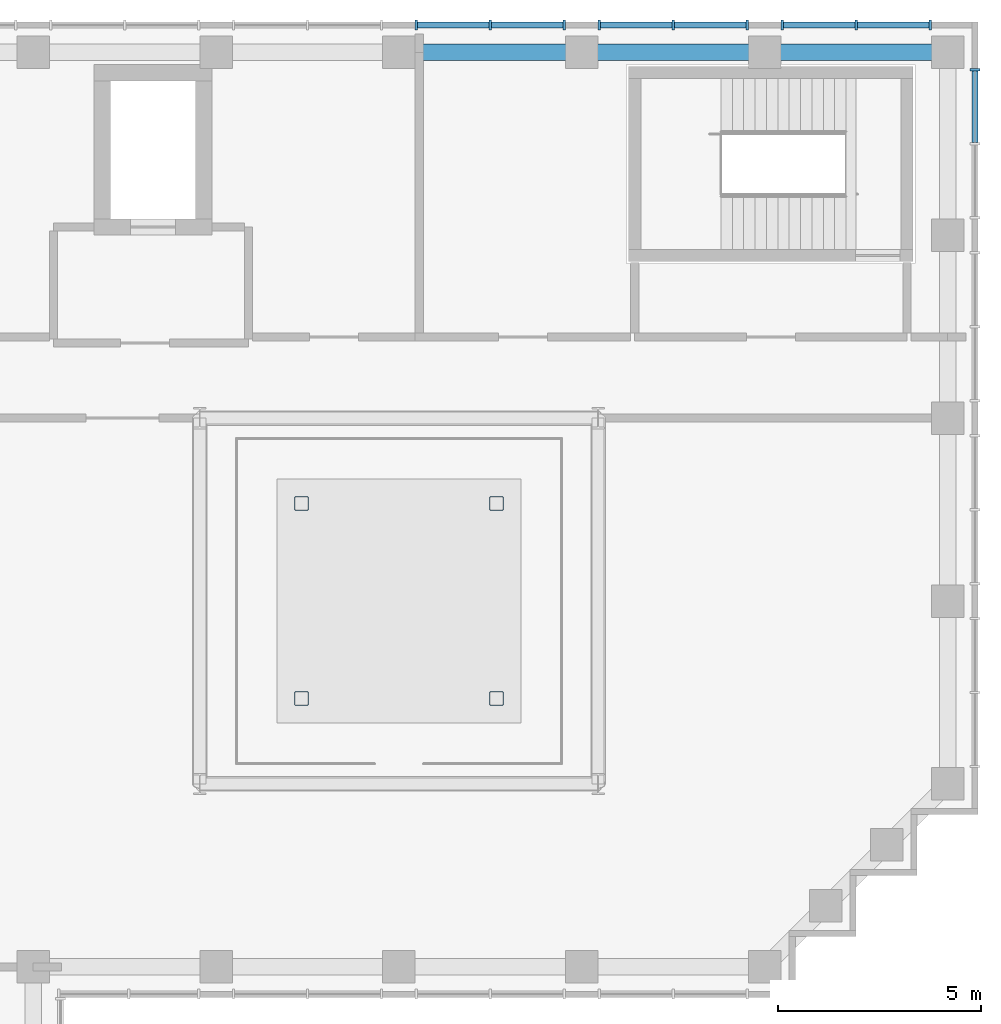
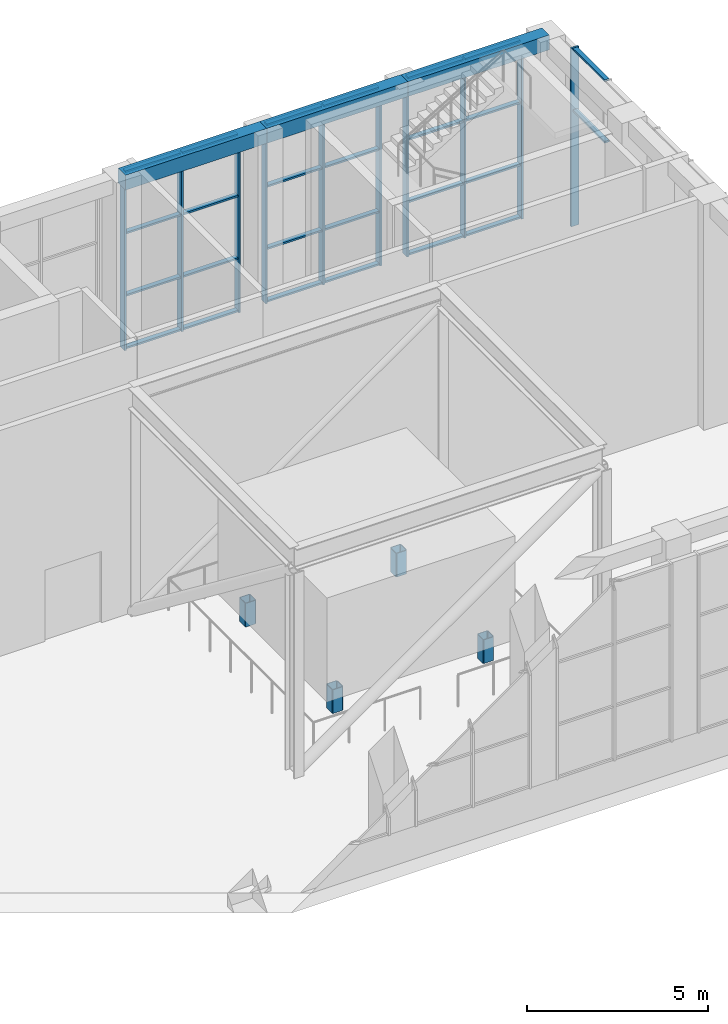
# One storey, part 8 of 17: 40 members, 3 beams, 4 elements without a shape of their own.
"""IFC4 building model written with IfcOpenShell, lengths in metres."""

from ifc_helpers import new_model, si_unit, direction, frame, origin, origin_2d, place, context, subcontext, project, spatial, rectangle, hollow_rectangle, extrude, material, material_profile, profile_set, type_object, element, aggregate, save


model = new_model("IFC4")

# Units and contexts
model_context = context("Model", 3, precision=1e-05, world=origin(), true_north=direction((0.0, 1.0)))
body_context = subcontext(model_context, "Body", "Model", "MODEL_VIEW")
ifc_project = project(units=[si_unit("LENGTHUNIT", "METRE"), si_unit("AREAUNIT", "SQUARE_METRE"), si_unit("VOLUMEUNIT", "CUBIC_METRE"), si_unit("PLANEANGLEUNIT", "RADIAN"), si_unit("MASSUNIT", "GRAM", prefix="KILO")], contexts=[model_context])

# Site, building, storey
site_placement = place(None, origin())
site = spatial("IfcSite", under=ifc_project, at=site_placement, CompositionType="ELEMENT")
building_placement = place(site_placement, origin())
building = spatial("IfcBuilding", under=site, at=building_placement, Name="Firuza Court", CompositionType="ELEMENT")
storey_placement = place(building_placement, frame((0.0, 0.0, 258.199951171875)))
storey = spatial("IfcBuildingStorey", under=building, at=storey_placement, Name="L67", CompositionType="ELEMENT", Elevation=258.199951171875)

# Members
ifc_material_1 = material(Name="Steel S355", Category="steel")
ifc_material_profile_1 = material_profile(ifc_material_1, hollow_rectangle(XDim=0.35009765625, YDim=0.35009765625, WallThickness=0.01611328125, InnerFilletRadius=0.02392578125, OuterFilletRadius=0.0400390625, at=origin_2d()), Name="RHS 350x350x16")
ifc_profile_set_1 = profile_set([ifc_material_profile_1], Name="Steel S355")
member_type_1 = type_object("IfcMemberType", Name="Damper bearing pedestal RHS 350x350x16 S355", PredefinedType="POST", material=ifc_profile_set_1)
for number, where, z_axis, x_axis, name in (
    (1, (29.10009765625, 42.60009765625, 0.0), (0.0, 0.0, 1.0), (1.0, 0.0, 0.0), "Damper bearing pedestal TH1 L67"),
    (2, (33.89990234375, 42.60009765625, 0.0), (0.0, 0.0, 1.0), (1.0, 0.0, 0.0), "Damper bearing pedestal TH1 L67"),
    (3, (29.10009765625, 47.39990234375, 0.0), (0.0, 0.0, 1.0), (1.0, 0.0, 0.0), "Damper bearing pedestal TH1 L67"),
    (4, (33.89990234375, 47.39990234375, 0.0), (0.0, 0.0, 1.0), (1.0, 0.0, 0.0), "Damper bearing pedestal TH1 L67"),
):
    element("IfcMember", number, at=place(storey_placement, frame(where, z_axis=z_axis, x_axis=x_axis)), inside=storey, type_object=member_type_1, Name=name, PredefinedType="POST", context=body_context, shape_type="SweptSolid", body=[
        extrude(hollow_rectangle(XDim=0.35009765625, YDim=0.35009765625, WallThickness=0.01611328125, InnerFilletRadius=0.02392578125, OuterFilletRadius=0.0400390625, at=origin_2d()), origin(), (0.0, 0.0, 1.0), 0.800048828125),
    ])

# Curtain wall, member
ifc_material_2 = material(Name="Aluminium curtain wall, triple clear glazing", Category="aluminium")
curtain_wall_type = type_object("IfcCurtainWallType", Name="Damper hall structural glazing CW4", PredefinedType="NOTDEFINED", material=ifc_material_2)
curtain_wall_1_placement = place(storey_placement, origin())
curtain_wall_1 = element("IfcCurtainWall", 5, at=curtain_wall_1_placement, inside=storey, type_object=curtain_wall_type, Name="Damper hall structural glazing CW4 L67", PredefinedType="NOTDEFINED")
ifc_material_3 = material(Name="Aluminium EN AW-6060 T66", Category="aluminium")
ifc_material_profile_2 = material_profile(ifc_material_3, rectangle(XDim=0.25, YDim=0.06005859375, at=origin_2d()), Name="Mullion 250 x 60 CW4")
ifc_profile_set_2 = profile_set([ifc_material_profile_2], Name="Aluminium EN AW-6060 T66")
member_type_2 = type_object("IfcMemberType", Name="Mullion 250 x 60 CW4", PredefinedType="MULLION", material=ifc_profile_set_2)
member_1_placement = place(storey_placement, frame((45.669921875, 58.070068359375, 1.10009765625), z_axis=(0.0, 0.0, 1.0), x_axis=(-1.0, 0.0, 0.0)))
member_1 = element("IfcMember", 6, at=member_1_placement, type_object=member_type_2, Name="CW4 mullion 3", PredefinedType="MULLION", context=body_context, shape_type="SweptSolid", body=[
    extrude(rectangle(XDim=0.25, YDim=0.06005859375, at=origin_2d()), origin(), (0.0, 0.0, 1.0), 6.0),
])

# Curtain wall, members
curtain_wall_2_placement = place(storey_placement, origin())
curtain_wall_2 = element("IfcCurtainWall", 7, at=curtain_wall_2_placement, inside=storey, type_object=curtain_wall_type, Name="Damper hall structural glazing CW4 L67", PredefinedType="NOTDEFINED")
member_2_placement = place(storey_placement, frame((44.570068359375, 59.169921875, 1.10009765625), z_axis=(0.0, 0.0, 1.0), x_axis=(0.0, -1.0, 0.0)))
member_2 = element("IfcMember", 8, at=member_2_placement, type_object=member_type_2, Name="CW4 mullion 1", PredefinedType="MULLION", context=body_context, shape_type="SweptSolid", body=[
    extrude(rectangle(XDim=0.25, YDim=0.06005859375, at=origin_2d()), origin(), (0.0, 0.0, 1.0), 6.0),
])
member_3_placement = place(storey_placement, frame((42.75, 59.169921875, 1.10009765625), z_axis=(0.0, 0.0, 1.0), x_axis=(0.0, -1.0, 0.0)))
member_3 = element("IfcMember", 9, at=member_3_placement, type_object=member_type_2, Name="CW4 mullion 2", PredefinedType="MULLION", context=body_context, shape_type="SweptSolid", body=[
    extrude(rectangle(XDim=0.25, YDim=0.06005859375, at=origin_2d()), origin(), (0.0, 0.0, 1.0), 6.0),
])
member_4_placement = place(storey_placement, frame((40.929931640625, 59.169921875, 1.10009765625), z_axis=(0.0, 0.0, 1.0), x_axis=(0.0, -1.0, 0.0)))
member_4 = element("IfcMember", 10, at=member_4_placement, type_object=member_type_2, Name="CW4 mullion 3", PredefinedType="MULLION", context=body_context, shape_type="SweptSolid", body=[
    extrude(rectangle(XDim=0.25, YDim=0.06005859375, at=origin_2d()), origin(), (0.0, 0.0, 1.0), 6.0),
])

curtain_wall_3_placement = place(storey_placement, origin())
curtain_wall_3 = element("IfcCurtainWall", 11, at=curtain_wall_3_placement, inside=storey, type_object=curtain_wall_type, Name="Damper hall structural glazing CW4 L67", PredefinedType="NOTDEFINED")
member_5_placement = place(storey_placement, frame((40.070068359375, 59.169921875, 1.10009765625), z_axis=(0.0, 0.0, 1.0), x_axis=(0.0, -1.0, 0.0)))
member_5 = element("IfcMember", 12, at=member_5_placement, type_object=member_type_2, Name="CW4 mullion 1", PredefinedType="MULLION", context=body_context, shape_type="SweptSolid", body=[
    extrude(rectangle(XDim=0.25, YDim=0.06005859375, at=origin_2d()), origin(), (0.0, 0.0, 1.0), 6.0),
])
member_6_placement = place(storey_placement, frame((38.25, 59.169921875, 1.10009765625), z_axis=(0.0, 0.0, 1.0), x_axis=(0.0, -1.0, 0.0)))
member_6 = element("IfcMember", 13, at=member_6_placement, type_object=member_type_2, Name="CW4 mullion 2", PredefinedType="MULLION", context=body_context, shape_type="SweptSolid", body=[
    extrude(rectangle(XDim=0.25, YDim=0.06005859375, at=origin_2d()), origin(), (0.0, 0.0, 1.0), 6.0),
])
member_7_placement = place(storey_placement, frame((36.429931640625, 59.169921875, 1.10009765625), z_axis=(0.0, 0.0, 1.0), x_axis=(0.0, -1.0, 0.0)))
member_7 = element("IfcMember", 14, at=member_7_placement, type_object=member_type_2, Name="CW4 mullion 3", PredefinedType="MULLION", context=body_context, shape_type="SweptSolid", body=[
    extrude(rectangle(XDim=0.25, YDim=0.06005859375, at=origin_2d()), origin(), (0.0, 0.0, 1.0), 6.0),
])

curtain_wall_4_placement = place(storey_placement, origin())
curtain_wall_4 = element("IfcCurtainWall", 15, at=curtain_wall_4_placement, inside=storey, type_object=curtain_wall_type, Name="Damper hall structural glazing CW4 L67", PredefinedType="NOTDEFINED")
member_8_placement = place(storey_placement, frame((35.570068359375, 59.169921875, 1.10009765625), z_axis=(0.0, 0.0, 1.0), x_axis=(0.0, -1.0, 0.0)))
member_8 = element("IfcMember", 16, at=member_8_placement, type_object=member_type_2, Name="CW4 mullion 1", PredefinedType="MULLION", context=body_context, shape_type="SweptSolid", body=[
    extrude(rectangle(XDim=0.25, YDim=0.06005859375, at=origin_2d()), origin(), (0.0, 0.0, 1.0), 6.0),
])
member_9_placement = place(storey_placement, frame((33.75, 59.169921875, 1.10009765625), z_axis=(0.0, 0.0, 1.0), x_axis=(0.0, -1.0, 0.0)))
member_9 = element("IfcMember", 17, at=member_9_placement, type_object=member_type_2, Name="CW4 mullion 2", PredefinedType="MULLION", context=body_context, shape_type="SweptSolid", body=[
    extrude(rectangle(XDim=0.25, YDim=0.06005859375, at=origin_2d()), origin(), (0.0, 0.0, 1.0), 6.0),
])
member_10_placement = place(storey_placement, frame((31.929931640625, 59.169921875, 1.10009765625), z_axis=(0.0, 0.0, 1.0), x_axis=(0.0, -1.0, 0.0)))
member_10 = element("IfcMember", 18, at=member_10_placement, type_object=member_type_2, Name="CW4 mullion 3", PredefinedType="MULLION", context=body_context, shape_type="SweptSolid", body=[
    extrude(rectangle(XDim=0.25, YDim=0.06005859375, at=origin_2d()), origin(), (0.0, 0.0, 1.0), 6.0),
])

# Beams
ifc_material_4 = material(Name="Concrete C40/50", Category="concrete")
ifc_material_profile_3 = material_profile(ifc_material_4, rectangle(XDim=0.39990234375, YDim=0.5, at=origin_2d()), Name="RC 400x500")
ifc_profile_set_3 = profile_set([ifc_material_profile_3], Name="Concrete C40/50")
beam_type = type_object("IfcBeamType", Name="Spandrel beam RC 400x500 C40/50", PredefinedType="BEAM", material=ifc_profile_set_3)
for number, where, z_axis, x_axis, name in (
    (19, (36.0, 58.5, 7.35009765625), (-1.0, 0.0, 0.0), (0.0, -1.0, 0.0), "Spandrel beam SP18 level L68"),
    (20, (40.5, 58.5, 7.35009765625), (-1.0, 0.0, 0.0), (0.0, -1.0, 0.0), "Spandrel beam SP18 level L68"),
    (21, (45.0, 58.5, 7.35009765625), (-1.0, 0.0, 0.0), (0.0, -1.0, 0.0), "Spandrel beam SP18 level L68"),
):
    element("IfcBeam", number, at=place(storey_placement, frame(where, z_axis=z_axis, x_axis=x_axis)), inside=storey, type_object=beam_type, Name=name, PredefinedType="BEAM", context=body_context, shape_type="SweptSolid", body=[
        extrude(rectangle(XDim=0.39990234375, YDim=0.5, at=origin_2d()), origin(), (0.0, 0.0, 1.0), 4.5),
    ])

# Member
ifc_material_5 = material(Name="Aluminium EN AW-6060 T66", Category="aluminium")
ifc_material_profile_4 = material_profile(ifc_material_5, rectangle(XDim=0.14990234375, YDim=0.06005859375, at=origin_2d()), Name="Transom 150 x 60 CW4")
ifc_profile_set_4 = profile_set([ifc_material_profile_4], Name="Aluminium EN AW-6060 T66")
member_type_3 = type_object("IfcMemberType", Name="Transom 150 x 60 CW4", PredefinedType="USERDEFINED", material=ifc_profile_set_4)
member_11_placement = place(storey_placement, frame((45.669921875, 56.280029296875, 5.0), z_axis=(0.0, 1.0, 0.0), x_axis=(-1.0, 0.0, 0.0)))
member_11 = element("IfcMember", 22, at=member_11_placement, type_object=member_type_3, Name="CW4 transom 2.3", ObjectType="TRANSOM", PredefinedType="USERDEFINED", context=body_context, shape_type="SweptSolid", body=[
    extrude(rectangle(XDim=0.14990234375, YDim=0.06005859375, at=origin_2d()), origin(), (0.0, 0.0, 1.0), 1.760009765625),
])

member_12_placement = place(storey_placement, frame((45.669921875, 56.280029296875, 7.070068359375), z_axis=(0.0, 1.0, 0.0), x_axis=(-1.0, 0.0, 0.0)))
member_12 = element("IfcMember", 23, at=member_12_placement, type_object=member_type_3, Name="CW4 transom 2.4", ObjectType="TRANSOM", PredefinedType="USERDEFINED", context=body_context, shape_type="SweptSolid", body=[
    extrude(rectangle(XDim=0.14990234375, YDim=0.06005859375, at=origin_2d()), origin(), (0.0, 0.0, 1.0), 1.760009765625),
])

aggregate(curtain_wall_1, [member_1, member_11, member_12])

member_13_placement = place(storey_placement, frame((44.5400390625, 59.169921875, 1.130126953125), z_axis=(-1.0, 0.0, 0.0), x_axis=(0.0, -1.0, 0.0)))
member_13 = element("IfcMember", 24, at=member_13_placement, type_object=member_type_3, Name="CW4 transom 1.1", ObjectType="TRANSOM", PredefinedType="USERDEFINED", context=body_context, shape_type="SweptSolid", body=[
    extrude(rectangle(XDim=0.14990234375, YDim=0.06005859375, at=origin_2d()), origin(), (0.0, 0.0, 1.0), 1.760009765625),
])

member_14_placement = place(storey_placement, frame((44.5400390625, 59.169921875, 2.900146484375), z_axis=(-1.0, 0.0, 0.0), x_axis=(0.0, -1.0, 0.0)))
member_14 = element("IfcMember", 25, at=member_14_placement, type_object=member_type_3, Name="CW4 transom 1.2", ObjectType="TRANSOM", PredefinedType="USERDEFINED", context=body_context, shape_type="SweptSolid", body=[
    extrude(rectangle(XDim=0.14990234375, YDim=0.06005859375, at=origin_2d()), origin(), (0.0, 0.0, 1.0), 1.760009765625),
])

member_15_placement = place(storey_placement, frame((44.5400390625, 59.169921875, 5.0), z_axis=(-1.0, 0.0, 0.0), x_axis=(0.0, -1.0, 0.0)))
member_15 = element("IfcMember", 26, at=member_15_placement, type_object=member_type_3, Name="CW4 transom 1.3", ObjectType="TRANSOM", PredefinedType="USERDEFINED", context=body_context, shape_type="SweptSolid", body=[
    extrude(rectangle(XDim=0.14990234375, YDim=0.06005859375, at=origin_2d()), origin(), (0.0, 0.0, 1.0), 1.760009765625),
])

member_16_placement = place(storey_placement, frame((44.5400390625, 59.169921875, 7.070068359375), z_axis=(-1.0, 0.0, 0.0), x_axis=(0.0, -1.0, 0.0)))
member_16 = element("IfcMember", 27, at=member_16_placement, type_object=member_type_3, Name="CW4 transom 1.4", ObjectType="TRANSOM", PredefinedType="USERDEFINED", context=body_context, shape_type="SweptSolid", body=[
    extrude(rectangle(XDim=0.14990234375, YDim=0.06005859375, at=origin_2d()), origin(), (0.0, 0.0, 1.0), 1.760009765625),
])

member_17_placement = place(storey_placement, frame((42.719970703125, 59.169921875, 1.130126953125), z_axis=(-1.0, 0.0, 0.0), x_axis=(0.0, -1.0, 0.0)))
member_17 = element("IfcMember", 28, at=member_17_placement, type_object=member_type_3, Name="CW4 transom 2.1", ObjectType="TRANSOM", PredefinedType="USERDEFINED", context=body_context, shape_type="SweptSolid", body=[
    extrude(rectangle(XDim=0.14990234375, YDim=0.06005859375, at=origin_2d()), origin(), (0.0, 0.0, 1.0), 1.760009765625),
])

member_18_placement = place(storey_placement, frame((42.719970703125, 59.169921875, 2.900146484375), z_axis=(-1.0, 0.0, 0.0), x_axis=(0.0, -1.0, 0.0)))
member_18 = element("IfcMember", 29, at=member_18_placement, type_object=member_type_3, Name="CW4 transom 2.2", ObjectType="TRANSOM", PredefinedType="USERDEFINED", context=body_context, shape_type="SweptSolid", body=[
    extrude(rectangle(XDim=0.14990234375, YDim=0.06005859375, at=origin_2d()), origin(), (0.0, 0.0, 1.0), 1.760009765625),
])

member_19_placement = place(storey_placement, frame((42.719970703125, 59.169921875, 5.0), z_axis=(-1.0, 0.0, 0.0), x_axis=(0.0, -1.0, 0.0)))
member_19 = element("IfcMember", 30, at=member_19_placement, type_object=member_type_3, Name="CW4 transom 2.3", ObjectType="TRANSOM", PredefinedType="USERDEFINED", context=body_context, shape_type="SweptSolid", body=[
    extrude(rectangle(XDim=0.14990234375, YDim=0.06005859375, at=origin_2d()), origin(), (0.0, 0.0, 1.0), 1.760009765625),
])

member_20_placement = place(storey_placement, frame((42.719970703125, 59.169921875, 7.070068359375), z_axis=(-1.0, 0.0, 0.0), x_axis=(0.0, -1.0, 0.0)))
member_20 = element("IfcMember", 31, at=member_20_placement, type_object=member_type_3, Name="CW4 transom 2.4", ObjectType="TRANSOM", PredefinedType="USERDEFINED", context=body_context, shape_type="SweptSolid", body=[
    extrude(rectangle(XDim=0.14990234375, YDim=0.06005859375, at=origin_2d()), origin(), (0.0, 0.0, 1.0), 1.760009765625),
])

aggregate(curtain_wall_2, [member_2, member_3, member_4, member_13, member_14, member_15, member_16, member_17, member_18, member_19, member_20])

member_21_placement = place(storey_placement, frame((40.0400390625, 59.169921875, 1.130126953125), z_axis=(-1.0, 0.0, 0.0), x_axis=(0.0, -1.0, 0.0)))
member_21 = element("IfcMember", 32, at=member_21_placement, type_object=member_type_3, Name="CW4 transom 1.1", ObjectType="TRANSOM", PredefinedType="USERDEFINED", context=body_context, shape_type="SweptSolid", body=[
    extrude(rectangle(XDim=0.14990234375, YDim=0.06005859375, at=origin_2d()), origin(), (0.0, 0.0, 1.0), 1.760009765625),
])

member_22_placement = place(storey_placement, frame((40.0400390625, 59.169921875, 2.900146484375), z_axis=(-1.0, 0.0, 0.0), x_axis=(0.0, -1.0, 0.0)))
member_22 = element("IfcMember", 33, at=member_22_placement, type_object=member_type_3, Name="CW4 transom 1.2", ObjectType="TRANSOM", PredefinedType="USERDEFINED", context=body_context, shape_type="SweptSolid", body=[
    extrude(rectangle(XDim=0.14990234375, YDim=0.06005859375, at=origin_2d()), origin(), (0.0, 0.0, 1.0), 1.760009765625),
])

member_23_placement = place(storey_placement, frame((40.0400390625, 59.169921875, 5.0), z_axis=(-1.0, 0.0, 0.0), x_axis=(0.0, -1.0, 0.0)))
member_23 = element("IfcMember", 34, at=member_23_placement, type_object=member_type_3, Name="CW4 transom 1.3", ObjectType="TRANSOM", PredefinedType="USERDEFINED", context=body_context, shape_type="SweptSolid", body=[
    extrude(rectangle(XDim=0.14990234375, YDim=0.06005859375, at=origin_2d()), origin(), (0.0, 0.0, 1.0), 1.760009765625),
])

member_24_placement = place(storey_placement, frame((40.0400390625, 59.169921875, 7.070068359375), z_axis=(-1.0, 0.0, 0.0), x_axis=(0.0, -1.0, 0.0)))
member_24 = element("IfcMember", 35, at=member_24_placement, type_object=member_type_3, Name="CW4 transom 1.4", ObjectType="TRANSOM", PredefinedType="USERDEFINED", context=body_context, shape_type="SweptSolid", body=[
    extrude(rectangle(XDim=0.14990234375, YDim=0.06005859375, at=origin_2d()), origin(), (0.0, 0.0, 1.0), 1.760009765625),
])

member_25_placement = place(storey_placement, frame((38.219970703125, 59.169921875, 1.130126953125), z_axis=(-1.0, 0.0, 0.0), x_axis=(0.0, -1.0, 0.0)))
member_25 = element("IfcMember", 36, at=member_25_placement, type_object=member_type_3, Name="CW4 transom 2.1", ObjectType="TRANSOM", PredefinedType="USERDEFINED", context=body_context, shape_type="SweptSolid", body=[
    extrude(rectangle(XDim=0.14990234375, YDim=0.06005859375, at=origin_2d()), origin(), (0.0, 0.0, 1.0), 1.760009765625),
])

member_26_placement = place(storey_placement, frame((38.219970703125, 59.169921875, 2.900146484375), z_axis=(-1.0, 0.0, 0.0), x_axis=(0.0, -1.0, 0.0)))
member_26 = element("IfcMember", 37, at=member_26_placement, type_object=member_type_3, Name="CW4 transom 2.2", ObjectType="TRANSOM", PredefinedType="USERDEFINED", context=body_context, shape_type="SweptSolid", body=[
    extrude(rectangle(XDim=0.14990234375, YDim=0.06005859375, at=origin_2d()), origin(), (0.0, 0.0, 1.0), 1.760009765625),
])

member_27_placement = place(storey_placement, frame((38.219970703125, 59.169921875, 5.0), z_axis=(-1.0, 0.0, 0.0), x_axis=(0.0, -1.0, 0.0)))
member_27 = element("IfcMember", 38, at=member_27_placement, type_object=member_type_3, Name="CW4 transom 2.3", ObjectType="TRANSOM", PredefinedType="USERDEFINED", context=body_context, shape_type="SweptSolid", body=[
    extrude(rectangle(XDim=0.14990234375, YDim=0.06005859375, at=origin_2d()), origin(), (0.0, 0.0, 1.0), 1.760009765625),
])

member_28_placement = place(storey_placement, frame((38.219970703125, 59.169921875, 7.070068359375), z_axis=(-1.0, 0.0, 0.0), x_axis=(0.0, -1.0, 0.0)))
member_28 = element("IfcMember", 39, at=member_28_placement, type_object=member_type_3, Name="CW4 transom 2.4", ObjectType="TRANSOM", PredefinedType="USERDEFINED", context=body_context, shape_type="SweptSolid", body=[
    extrude(rectangle(XDim=0.14990234375, YDim=0.06005859375, at=origin_2d()), origin(), (0.0, 0.0, 1.0), 1.760009765625),
])

aggregate(curtain_wall_3, [member_5, member_6, member_7, member_21, member_22, member_23, member_24, member_25, member_26, member_27, member_28])

member_29_placement = place(storey_placement, frame((35.5400390625, 59.169921875, 1.130126953125), z_axis=(-1.0, 0.0, 0.0), x_axis=(0.0, -1.0, 0.0)))
member_29 = element("IfcMember", 40, at=member_29_placement, type_object=member_type_3, Name="CW4 transom 1.1", ObjectType="TRANSOM", PredefinedType="USERDEFINED", context=body_context, shape_type="SweptSolid", body=[
    extrude(rectangle(XDim=0.14990234375, YDim=0.06005859375, at=origin_2d()), origin(), (0.0, 0.0, 1.0), 1.760009765625),
])

member_30_placement = place(storey_placement, frame((35.5400390625, 59.169921875, 2.900146484375), z_axis=(-1.0, 0.0, 0.0), x_axis=(0.0, -1.0, 0.0)))
member_30 = element("IfcMember", 41, at=member_30_placement, type_object=member_type_3, Name="CW4 transom 1.2", ObjectType="TRANSOM", PredefinedType="USERDEFINED", context=body_context, shape_type="SweptSolid", body=[
    extrude(rectangle(XDim=0.14990234375, YDim=0.06005859375, at=origin_2d()), origin(), (0.0, 0.0, 1.0), 1.760009765625),
])

member_31_placement = place(storey_placement, frame((35.5400390625, 59.169921875, 5.0), z_axis=(-1.0, 0.0, 0.0), x_axis=(0.0, -1.0, 0.0)))
member_31 = element("IfcMember", 42, at=member_31_placement, type_object=member_type_3, Name="CW4 transom 1.3", ObjectType="TRANSOM", PredefinedType="USERDEFINED", context=body_context, shape_type="SweptSolid", body=[
    extrude(rectangle(XDim=0.14990234375, YDim=0.06005859375, at=origin_2d()), origin(), (0.0, 0.0, 1.0), 1.760009765625),
])

member_32_placement = place(storey_placement, frame((35.5400390625, 59.169921875, 7.070068359375), z_axis=(-1.0, 0.0, 0.0), x_axis=(0.0, -1.0, 0.0)))
member_32 = element("IfcMember", 43, at=member_32_placement, type_object=member_type_3, Name="CW4 transom 1.4", ObjectType="TRANSOM", PredefinedType="USERDEFINED", context=body_context, shape_type="SweptSolid", body=[
    extrude(rectangle(XDim=0.14990234375, YDim=0.06005859375, at=origin_2d()), origin(), (0.0, 0.0, 1.0), 1.760009765625),
])

member_33_placement = place(storey_placement, frame((33.719970703125, 59.169921875, 1.130126953125), z_axis=(-1.0, 0.0, 0.0), x_axis=(0.0, -1.0, 0.0)))
member_33 = element("IfcMember", 44, at=member_33_placement, type_object=member_type_3, Name="CW4 transom 2.1", ObjectType="TRANSOM", PredefinedType="USERDEFINED", context=body_context, shape_type="SweptSolid", body=[
    extrude(rectangle(XDim=0.14990234375, YDim=0.06005859375, at=origin_2d()), origin(), (0.0, 0.0, 1.0), 1.760009765625),
])

member_34_placement = place(storey_placement, frame((33.719970703125, 59.169921875, 2.900146484375), z_axis=(-1.0, 0.0, 0.0), x_axis=(0.0, -1.0, 0.0)))
member_34 = element("IfcMember", 45, at=member_34_placement, type_object=member_type_3, Name="CW4 transom 2.2", ObjectType="TRANSOM", PredefinedType="USERDEFINED", context=body_context, shape_type="SweptSolid", body=[
    extrude(rectangle(XDim=0.14990234375, YDim=0.06005859375, at=origin_2d()), origin(), (0.0, 0.0, 1.0), 1.760009765625),
])

member_35_placement = place(storey_placement, frame((33.719970703125, 59.169921875, 5.0), z_axis=(-1.0, 0.0, 0.0), x_axis=(0.0, -1.0, 0.0)))
member_35 = element("IfcMember", 46, at=member_35_placement, type_object=member_type_3, Name="CW4 transom 2.3", ObjectType="TRANSOM", PredefinedType="USERDEFINED", context=body_context, shape_type="SweptSolid", body=[
    extrude(rectangle(XDim=0.14990234375, YDim=0.06005859375, at=origin_2d()), origin(), (0.0, 0.0, 1.0), 1.760009765625),
])

member_36_placement = place(storey_placement, frame((33.719970703125, 59.169921875, 7.070068359375), z_axis=(-1.0, 0.0, 0.0), x_axis=(0.0, -1.0, 0.0)))
member_36 = element("IfcMember", 47, at=member_36_placement, type_object=member_type_3, Name="CW4 transom 2.4", ObjectType="TRANSOM", PredefinedType="USERDEFINED", context=body_context, shape_type="SweptSolid", body=[
    extrude(rectangle(XDim=0.14990234375, YDim=0.06005859375, at=origin_2d()), origin(), (0.0, 0.0, 1.0), 1.760009765625),
])

aggregate(curtain_wall_4, [member_8, member_9, member_10, member_29, member_30, member_31, member_32, member_33, member_34, member_35, member_36])

save(model, "model.ifc")
